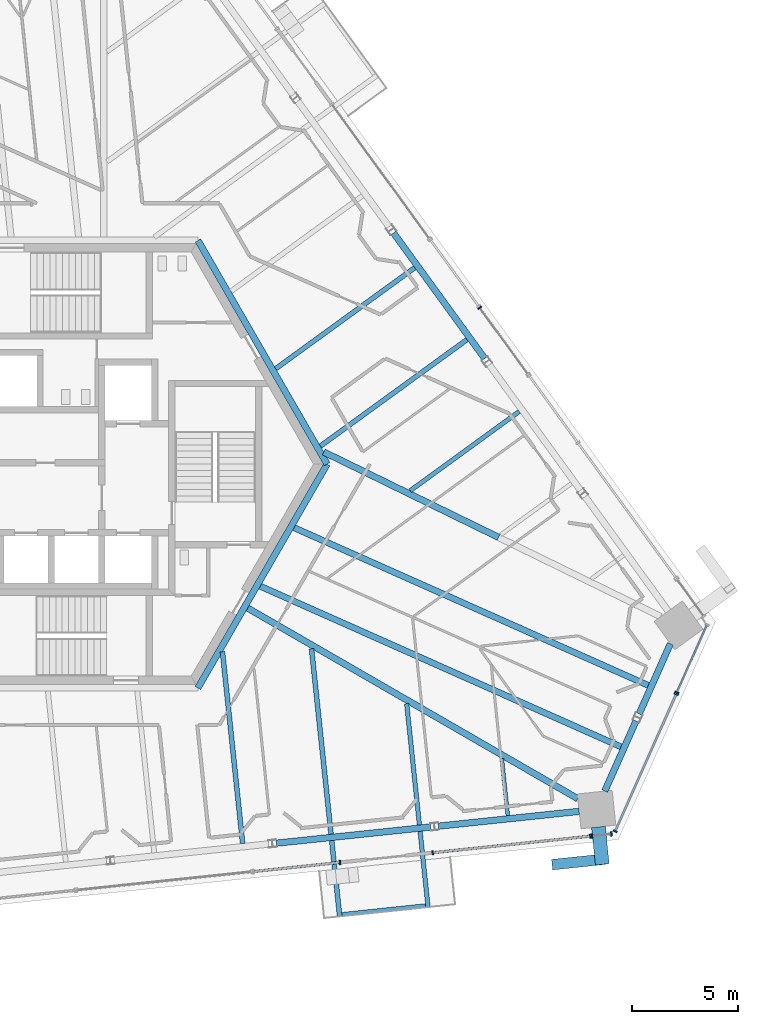
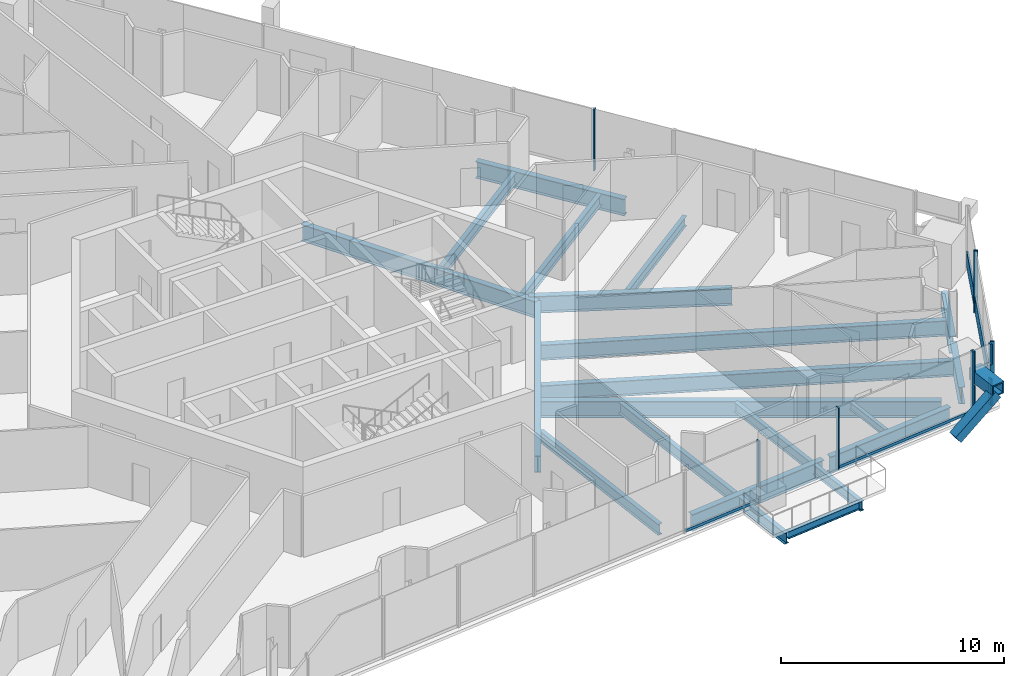
# One storey, part 7 of 26: 21 beams, 17 members, 7 elements without a shape of their own.
"""IFC4 building model written with IfcOpenShell, lengths in metres."""

from ifc_helpers import new_model, si_unit, direction, frame, origin, origin_2d, place, context, subcontext, project, spatial, rectangle, hollow_rectangle, i_section, extrude, source, transform, mapped, material, material_profile, profile_set, type_object, element, aggregate, save


model = new_model("IFC4")

# Units and contexts
model_context = context("Model", 3, precision=1e-05, world=origin(), true_north=direction((0.0, 1.0)))
body_context = subcontext(model_context, "Body", "Model", "MODEL_VIEW")
ifc_project = project(units=[si_unit("LENGTHUNIT", "METRE"), si_unit("AREAUNIT", "SQUARE_METRE"), si_unit("VOLUMEUNIT", "CUBIC_METRE"), si_unit("PLANEANGLEUNIT", "RADIAN"), si_unit("MASSUNIT", "GRAM", prefix="KILO")], contexts=[model_context])

# Site, building, storey
site_placement = place(None, origin())
site = spatial("IfcSite", under=ifc_project, at=site_placement, CompositionType="ELEMENT")
building_placement = place(site_placement, origin())
building = spatial("IfcBuilding", under=site, at=building_placement, Name="Triune Harvest Tower", CompositionType="ELEMENT")
storey_placement = place(building_placement, frame((0.0, 0.0, 252.10009765625)))
storey = spatial("IfcBuildingStorey", under=building, at=storey_placement, Name="L66", CompositionType="ELEMENT", Elevation=252.10009765625)

# Curtain wall, member
ifc_material_1 = material(Name="Aluminium bronze anodised", Category="aluminium")
curtain_wall_type_1 = type_object("IfcCurtainWallType", Name="CW-7 Tower stick curtain wall with insulated spandrel infill", PredefinedType="NOTDEFINED", material=ifc_material_1)
curtain_wall_1_placement = place(storey_placement, origin())
curtain_wall_1 = element("IfcCurtainWall", 1, at=curtain_wall_1_placement, inside=storey, type_object=curtain_wall_type_1, Name="CW-7 B6-F6 L66 run 1")
ifc_material_2 = material(Name="Aluminium bronze anodised", Category="aluminium")
ifc_material_profile_1 = material_profile(ifc_material_2, rectangle(XDim=0.090087890625, YDim=0.89990234375, at=origin_2d()), Name="TR-1 transom 90 x 900")
ifc_profile_set_1 = profile_set([ifc_material_profile_1], Name="Aluminium bronze anodised")
member_type_1 = type_object("IfcMemberType", Name="TR-1 transom 90 x 900", PredefinedType="USERDEFINED", material=ifc_profile_set_1)
member_1_placement = place(storey_placement, frame((25.76806640625, -17.261474609375, 0.449951171875), z_axis=(0.406746658273, 0.913540998524, 0.0), x_axis=(-0.913540998524, 0.406746658273, 0.0)))
member_1 = element("IfcMember", 2, at=member_1_placement, type_object=member_type_1, Name="CW-7 transom B6-F6 1.1", ObjectType="TRANSOM", PredefinedType="USERDEFINED", context=body_context, shape_type="SweptSolid", body=[
    extrude(rectangle(XDim=0.090087890625, YDim=0.89990234375, at=origin_2d()), origin(), (0.0, 0.0, 1.0), 7.0009765625),
])

ifc_material_3 = material(Name="Aluminium bronze anodised", Category="aluminium")
curtain_wall_type_2 = type_object("IfcCurtainWallType", Name="CW-1 Tower stick curtain wall", PredefinedType="NOTDEFINED", material=ifc_material_3)
curtain_wall_2_placement = place(storey_placement, origin())
curtain_wall_2 = element("IfcCurtainWall", 3, at=curtain_wall_2_placement, inside=storey, type_object=curtain_wall_type_2, Name="CW-1 B6-F6 L66 run 1001")
member_2_placement = place(storey_placement, frame((28.6767578125, -10.728515625, 0.449951171875), z_axis=(0.406740135234, 0.913543902826, 0.0), x_axis=(-0.913543902826, 0.406740135234, 0.0)))
member_2 = element("IfcMember", 4, at=member_2_placement, type_object=member_type_1, Name="CW-1 transom B6-F6 1001.1", ObjectType="TRANSOM", PredefinedType="USERDEFINED", context=body_context, shape_type="SweptSolid", body=[
    extrude(rectangle(XDim=0.090087890625, YDim=0.89990234375, at=origin_2d()), origin(), (0.0, 0.0, 1.0), 3.425537109375),
])

ifc_material_4 = material(Name="Aluminium bronze anodised", Category="aluminium")
curtain_wall_type_3 = type_object("IfcCurtainWallType", Name="CW-10 Balcony window wall with insulated spandrel infill", PredefinedType="NOTDEFINED", material=ifc_material_4)
curtain_wall_3_placement = place(storey_placement, origin())
curtain_wall_3 = element("IfcCurtainWall", 5, at=curtain_wall_3_placement, inside=storey, type_object=curtain_wall_type_3, Name="CW-10 B6-F5 L66 run 2")
ifc_material_5 = material(Name="Aluminium bronze anodised", Category="aluminium")
ifc_material_profile_2 = material_profile(ifc_material_5, rectangle(XDim=0.090087890625, YDim=0.14990234375, at=origin_2d()), Name="TR-6 transom 90 x 150")
ifc_profile_set_2 = profile_set([ifc_material_profile_2], Name="Aluminium bronze anodised")
member_type_2 = type_object("IfcMemberType", Name="TR-6 transom 90 x 150", PredefinedType="USERDEFINED", material=ifc_profile_set_2)
member_3_placement = place(storey_placement, frame((17.190185546875, -18.306884765625, 0.074951171875), z_axis=(0.994520094605, 0.104545594968, 0.0), x_axis=(-0.104545594968, 0.994520094605, 0.0)))
member_3 = element("IfcMember", 6, at=member_3_placement, type_object=member_type_2, Name="CW-10 transom B6-F5 2.1", ObjectType="TRANSOM", PredefinedType="USERDEFINED", context=body_context, shape_type="SweptSolid", body=[
    extrude(rectangle(XDim=0.090087890625, YDim=0.14990234375, at=origin_2d()), origin(), (0.0, 0.0, 1.0), 7.395751953125),
])

# Beams
ifc_material_6 = material(Name="Steel ASTM A992 Gr 50", Category="steel")
ifc_material_profile_3 = material_profile(ifc_material_6, i_section(OverallWidth=0.3046875, OverallDepth=0.914306640625, WebThickness=0.0166015625, FlangeThickness=0.02587890625, at=origin_2d()), Name="W36x160")
ifc_profile_set_3 = profile_set([ifc_material_profile_3], Name="Steel ASTM A992 Gr 50")
beam_type_1 = type_object("IfcBeamType", Name="CG-1 Core ring girder W36x160", PredefinedType="BEAM", material=ifc_profile_set_3)
shared_shape_1 = source(origin(), body_context, "Body", "SweptSolid", [
    extrude(i_section(OverallWidth=0.3046875, OverallDepth=0.914306640625, WebThickness=0.0166015625, FlangeThickness=0.02587890625, at=origin_2d()), origin(), (0.0, 0.0, 1.0), 12.176025390625),
])
for number, where, z_axis, x_axis, name in (
    (7, (12.176025390625, 0.0, -0.6171875), (-0.5000099932, 0.866019634131, 0.0), (-0.866019634131, -0.5000099932, 0.0), "beam/L66/CG1"),
    (8, (6.087890625, -10.544677734375, -0.6171875), (0.5000099932, 0.866019634131, 0.0), (-0.866019634131, 0.5000099932, 0.0), "beam/L66/CG6"),
):
    element("IfcBeam", number, at=place(storey_placement, frame(where, z_axis=z_axis, x_axis=x_axis)), inside=storey, type_object=beam_type_1, Name=name, PredefinedType="BEAM", context=body_context, shape_type="MappedRepresentation", body=[
        mapped(shared_shape_1, transform((0.0, 0.0, 0.0), scale=1.0)),
    ])
ifc_material_7 = material(Name="Steel ASTM A992 Gr 50", Category="steel")
ifc_material_profile_4 = material_profile(ifc_material_7, i_section(OverallWidth=0.3046875, OverallDepth=0.914306640625, WebThickness=0.0166015625, FlangeThickness=0.02587890625, at=origin_2d()), Name="W36x160")
ifc_profile_set_4 = profile_set([ifc_material_profile_4], Name="Steel ASTM A992 Gr 50")
beam_type_2 = type_object("IfcBeamType", Name="HG-3 Hip girder W36x160", PredefinedType="BEAM", material=ifc_profile_set_4)
shared_shape_2 = source(origin(), body_context, "Body", "SweptSolid", [
    extrude(i_section(OverallWidth=0.3046875, OverallDepth=0.914306640625, WebThickness=0.0166015625, FlangeThickness=0.02587890625, at=origin_2d()), origin(), (0.0, 0.0, 1.0), 9.168212890625),
])
beam_1_placement = place(storey_placement, frame((20.2587890625, -3.451171875, -0.6171875), z_axis=(-0.898521846145, 0.438928800605, 0.0), x_axis=(-0.438928800605, -0.898521846145, 0.0)))
element("IfcBeam", 9, at=beam_1_placement, inside=storey, type_object=beam_type_2, Name="beam/L66/HG2", PredefinedType="BEAM", context=body_context, shape_type="MappedRepresentation", body=[
    mapped(shared_shape_2, transform((0.0, 0.0, 0.0), scale=1.0)),
])
ifc_material_8 = material(Name="Steel ASTM A992 Gr 50", Category="steel")
ifc_material_profile_5 = material_profile(ifc_material_8, i_section(OverallWidth=0.3046875, OverallDepth=0.914306640625, WebThickness=0.0166015625, FlangeThickness=0.02587890625, at=origin_2d()), Name="W36x160")
ifc_profile_set_5 = profile_set([ifc_material_profile_5], Name="Steel ASTM A992 Gr 50")
beam_type_3 = type_object("IfcBeamType", Name="SB-1 Spandrel beam W36x160", PredefinedType="SPANDREL", material=ifc_profile_set_5)
shared_shape_3 = source(origin(), body_context, "Body", "SweptSolid", [
    extrude(i_section(OverallWidth=0.3046875, OverallDepth=0.914306640625, WebThickness=0.0166015625, FlangeThickness=0.02587890625, at=origin_2d()), origin(), (0.0, 0.0, 1.0), 6.67041015625),
])
beam_2_placement = place(storey_placement, frame((17.421630859375, -17.060302734375, -0.6171875), z_axis=(0.994521485501, 0.104532362822, 0.0), x_axis=(-0.104532362822, 0.994521485501, 0.0)))
element("IfcBeam", 10, at=beam_2_placement, inside=storey, type_object=beam_type_3, Name="beam/L66/SB22", PredefinedType="SPANDREL", context=body_context, shape_type="MappedRepresentation", body=[
    mapped(shared_shape_3, transform((0.0, 0.0, 0.0), scale=1.0)),
])
shared_shape_4 = source(origin(), body_context, "Body", "SweptSolid", [
    extrude(i_section(OverallWidth=0.3046875, OverallDepth=0.914306640625, WebThickness=0.0166015625, FlangeThickness=0.02587890625, at=origin_2d()), origin(), (0.0, 0.0, 1.0), 7.31103515625),
])
for number, where, z_axis, x_axis, name in (
    (11, (19.60546875, 4.9794921875, -0.6171875), (-0.587786436325, 0.809016134124, 0.0), (-0.809016134124, -0.587786436325, 0.0), "beam/L66/SB3"),
    (12, (9.784423828125, -17.863037109375, -0.6171875), (0.994522639393, 0.104521384101, 0.0), (-0.104521384101, 0.994522639393, 0.0), "beam/L66/SB21"),
):
    element("IfcBeam", number, at=place(storey_placement, frame(where, z_axis=z_axis, x_axis=x_axis)), inside=storey, type_object=beam_type_3, Name=name, PredefinedType="SPANDREL", context=body_context, shape_type="MappedRepresentation", body=[
        mapped(shared_shape_4, transform((0.0, 0.0, 0.0), scale=1.0)),
    ])
shared_shape_5 = source(origin(), body_context, "Body", "SweptSolid", [
    extrude(i_section(OverallWidth=0.3046875, OverallDepth=0.914306640625, WebThickness=0.0166015625, FlangeThickness=0.02587890625, at=origin_2d()), origin(), (0.0, 0.0, 1.0), 3.614990234375),
])
beam_3_placement = place(storey_placement, frame((26.883544921875, -11.767822265625, -0.6171875), z_axis=(0.406758712736, 0.913535631277, 0.0), x_axis=(-0.913535631277, 0.406758712736, 0.0)))
element("IfcBeam", 13, at=beam_3_placement, inside=storey, type_object=beam_type_3, Name="beam/L66/SB24", PredefinedType="SPANDREL", context=body_context, shape_type="MappedRepresentation", body=[
    mapped(shared_shape_5, transform((0.0, 0.0, 0.0), scale=1.0)),
])
shared_shape_6 = source(origin(), body_context, "Body", "SweptSolid", [
    extrude(i_section(OverallWidth=0.3046875, OverallDepth=0.914306640625, WebThickness=0.0166015625, FlangeThickness=0.02587890625, at=origin_2d()), origin(), (0.0, 0.0, 1.0), 3.61474609375),
])
beam_4_placement = place(storey_placement, frame((25.263427734375, -15.406494140625, -0.6171875), z_axis=(0.406783809082, 0.913524456525, 0.0), x_axis=(-0.913524456525, 0.406783809082, 0.0)))
element("IfcBeam", 14, at=beam_4_placement, inside=storey, type_object=beam_type_3, Name="beam/L66/SB23", PredefinedType="SPANDREL", context=body_context, shape_type="MappedRepresentation", body=[
    mapped(shared_shape_6, transform((0.0, 0.0, 0.0), scale=1.0)),
])
shared_shape_7 = source(origin(), body_context, "Body", "SweptSolid", [
    extrude(i_section(OverallWidth=0.3046875, OverallDepth=0.914306640625, WebThickness=0.0166015625, FlangeThickness=0.02587890625, at=origin_2d()), origin(), (0.0, 0.0, 1.0), 17.96484375),
])
beam_5_placement = place(storey_placement, frame((23.992919921875, -15.766845703125, -0.6171875), z_axis=(-0.866026717539, 0.499997724503, 0.0), x_axis=(-0.499997724503, -0.866026717539, 0.0)))
element("IfcBeam", 15, at=beam_5_placement, inside=storey, type_object=beam_type_2, Name="beam/L66/HG10", PredefinedType="BEAM", context=body_context, shape_type="MappedRepresentation", body=[
    mapped(shared_shape_7, transform((0.0, 0.0, 0.0), scale=1.0)),
])
ifc_material_9 = material(Name="Steel ASTM A992 Gr 50", Category="steel")
ifc_material_profile_6 = material_profile(ifc_material_9, i_section(OverallWidth=0.2099609375, OverallDepth=0.535888671875, WebThickness=0.010986328125, FlangeThickness=0.017333984375, at=origin_2d()), Name="W21x68")
ifc_profile_set_6 = profile_set([ifc_material_profile_6], Name="Steel ASTM A992 Gr 50")
beam_type_4 = type_object("IfcBeamType", Name="JT-2 Floor joist W21x68", PredefinedType="JOIST", material=ifc_profile_set_6)
shared_shape_8 = source(origin(), body_context, "Body", "SweptSolid", [
    extrude(i_section(OverallWidth=0.2099609375, OverallDepth=0.535888671875, WebThickness=0.010986328125, FlangeThickness=0.017333984375, at=origin_2d()), origin(), (0.0, 0.0, 1.0), 6.346435546875),
])
beam_6_placement = place(storey_placement, frame((21.231689453125, 2.481689453125, -0.427978515625), z_axis=(-0.809002165091, -0.58780566251, 0.0), x_axis=(0.58780566251, -0.809002165091, 0.0)))
element("IfcBeam", 16, at=beam_6_placement, inside=storey, type_object=beam_type_4, Name="beam/L66/JT3", PredefinedType="JOIST", context=body_context, shape_type="MappedRepresentation", body=[
    mapped(shared_shape_8, transform((0.0, 0.0, 0.0), scale=1.0)),
])
ifc_material_10 = material(Name="Steel ASTM A992 Gr 50", Category="steel")
ifc_material_profile_7 = material_profile(ifc_material_10, i_section(OverallWidth=0.22900390625, OverallDepth=0.612060546875, WebThickness=0.011962890625, FlangeThickness=0.01953125, at=origin_2d()), Name="W24x84")
ifc_profile_set_7 = profile_set([ifc_material_profile_7], Name="Steel ASTM A992 Gr 50")
beam_type_5 = type_object("IfcBeamType", Name="JT-3 Floor joist W24x84", PredefinedType="JOIST", material=ifc_profile_set_7)
shared_shape_9 = source(origin(), body_context, "Body", "SweptSolid", [
    extrude(i_section(OverallWidth=0.22900390625, OverallDepth=0.612060546875, WebThickness=0.011962890625, FlangeThickness=0.01953125, at=origin_2d()), origin(), (0.0, 0.0, 1.0), 8.540283203125),
])
beam_7_placement = place(storey_placement, frame((18.769775390625, 5.87060546875, -0.46630859375), z_axis=(-0.809019081634, -0.587782379416, 0.0), x_axis=(0.587782379416, -0.809019081634, 0.0)))
element("IfcBeam", 17, at=beam_7_placement, inside=storey, type_object=beam_type_5, Name="beam/L66/JT4", PredefinedType="JOIST", context=body_context, shape_type="MappedRepresentation", body=[
    mapped(shared_shape_9, transform((0.0, 0.0, 0.0), scale=1.0)),
])
shared_shape_10 = source(origin(), body_context, "Body", "SweptSolid", [
    extrude(i_section(OverallWidth=0.22900390625, OverallDepth=0.612060546875, WebThickness=0.011962890625, FlangeThickness=0.01953125, at=origin_2d()), origin(), (0.0, 0.0, 1.0), 8.099609375),
])
beam_8_placement = place(storey_placement, frame((16.3076171875, 9.25927734375, -0.46630859375), z_axis=(-0.809022748574, -0.587777332235, 0.0), x_axis=(0.587777332235, -0.809022748574, 0.0)))
element("IfcBeam", 18, at=beam_8_placement, inside=storey, type_object=beam_type_5, Name="beam/L66/JT5", PredefinedType="JOIST", context=body_context, shape_type="MappedRepresentation", body=[
    mapped(shared_shape_10, transform((0.0, 0.0, 0.0), scale=1.0)),
])
shared_shape_11 = source(origin(), body_context, "Body", "SweptSolid", [
    extrude(i_section(OverallWidth=0.22900390625, OverallDepth=0.612060546875, WebThickness=0.011962890625, FlangeThickness=0.01953125, at=origin_2d()), origin(), (0.0, 0.0, 1.0), 9.084716796875),
])
beam_9_placement = place(storey_placement, frame((8.19677734375, -17.876708984375, -0.46630859375), z_axis=(-0.104539296445, 0.994520756696, 0.0), x_axis=(-0.994520756696, -0.104539296445, 0.0)))
element("IfcBeam", 19, at=beam_9_placement, inside=storey, type_object=beam_type_5, Name="beam/L66/JT31", PredefinedType="JOIST", context=body_context, shape_type="MappedRepresentation", body=[
    mapped(shared_shape_11, transform((0.0, 0.0, 0.0), scale=1.0)),
])
shared_shape_12 = source(origin(), body_context, "Body", "SweptSolid", [
    extrude(i_section(OverallWidth=0.2099609375, OverallDepth=0.535888671875, WebThickness=0.010986328125, FlangeThickness=0.017333984375, at=origin_2d()), origin(), (0.0, 0.0, 1.0), 5.745849609375),
])
beam_10_placement = place(storey_placement, frame((16.5283203125, -17.0009765625, -0.427978515625), z_axis=(-0.104525532782, 0.99452220337, 0.0), x_axis=(-0.99452220337, -0.104525532782, 0.0)))
element("IfcBeam", 20, at=beam_10_placement, inside=storey, type_object=beam_type_4, Name="beam/L66/JT33", PredefinedType="JOIST", context=body_context, shape_type="MappedRepresentation", body=[
    mapped(shared_shape_12, transform((0.0, 0.0, 0.0), scale=1.0)),
])
ifc_material_11 = material(Name="Steel ASTM A992 Gr 50", Category="steel")
ifc_material_profile_8 = material_profile(ifc_material_11, i_section(OverallWidth=0.180908203125, OverallDepth=0.41650390625, WebThickness=0.010986328125, FlangeThickness=0.01806640625, at=origin_2d()), Name="W16x57")
ifc_profile_set_8 = profile_set([ifc_material_profile_8], Name="Steel ASTM A992 Gr 50")
beam_type_6 = type_object("IfcBeamType", Name="JT-1 Floor joist W16x57", PredefinedType="JOIST", material=ifc_profile_set_8)
shared_shape_13 = source(origin(), body_context, "Body", "SweptSolid", [
    extrude(i_section(OverallWidth=0.180908203125, OverallDepth=0.41650390625, WebThickness=0.010986328125, FlangeThickness=0.01806640625, at=origin_2d()), origin(), (0.0, 0.0, 1.0), 2.70263671875),
])
beam_11_placement = place(storey_placement, frame((20.694091796875, -16.56298828125, -0.368408203125), z_axis=(-0.104520196043, 0.994522764254, 0.0), x_axis=(-0.994522764254, -0.104520196043, 0.0)))
element("IfcBeam", 21, at=beam_11_placement, inside=storey, type_object=beam_type_6, Name="beam/L66/JT34", PredefinedType="JOIST", context=body_context, shape_type="MappedRepresentation", body=[
    mapped(shared_shape_13, transform((0.0, 0.0, 0.0), scale=1.0)),
])
ifc_material_12 = material(Name="Steel ASTM A992 Gr 50", Category="steel")
ifc_material_profile_9 = material_profile(ifc_material_12, i_section(OverallWidth=0.2919921875, OverallDepth=0.8408203125, WebThickness=0.0146484375, FlangeThickness=0.021728515625, at=origin_2d()), Name="W33x130")
ifc_profile_set_9 = profile_set([ifc_material_profile_9], Name="Steel ASTM A992 Gr 50")
beam_type_7 = type_object("IfcBeamType", Name="JT-6 Floor joist W33x130", PredefinedType="JOIST", material=ifc_profile_set_9)
shared_shape_14 = source(origin(), body_context, "Body", "SweptSolid", [
    extrude(i_section(OverallWidth=0.2919921875, OverallDepth=0.8408203125, WebThickness=0.0146484375, FlangeThickness=0.021728515625, at=origin_2d()), origin(), (0.0, 0.0, 1.0), 18.60400390625),
])
beam_12_placement = place(storey_placement, frame((26.025390625, -13.32080078125, -0.58056640625), z_axis=(-0.913546187597, 0.406735003568, 0.0), x_axis=(-0.406735003568, -0.913546187597, 0.0)))
element("IfcBeam", 22, at=beam_12_placement, inside=storey, type_object=beam_type_7, Name="beam/L66/JT35", PredefinedType="JOIST", context=body_context, shape_type="MappedRepresentation", body=[
    mapped(shared_shape_14, transform((0.0, 0.0, 0.0), scale=1.0)),
])
shared_shape_15 = source(origin(), body_context, "Body", "SweptSolid", [
    extrude(i_section(OverallWidth=0.22900390625, OverallDepth=0.612060546875, WebThickness=0.011962890625, FlangeThickness=0.01953125, at=origin_2d()), origin(), (0.0, 0.0, 1.0), 8.7890625),
])
beam_13_placement = place(storey_placement, frame((12.362548828125, -17.438720703125, -0.46630859375), z_axis=(-0.104527173764, 0.9945220309, 0.0), x_axis=(-0.9945220309, -0.104527173764, 0.0)))
element("IfcBeam", 23, at=beam_13_placement, inside=storey, type_object=beam_type_5, Name="beam/L66/JT32", PredefinedType="JOIST", context=body_context, shape_type="MappedRepresentation", body=[
    mapped(shared_shape_15, transform((0.0, 0.0, 0.0), scale=1.0)),
])
shared_shape_16 = source(origin(), body_context, "Body", "SweptSolid", [
    extrude(i_section(OverallWidth=0.2919921875, OverallDepth=0.8408203125, WebThickness=0.0146484375, FlangeThickness=0.021728515625, at=origin_2d()), origin(), (0.0, 0.0, 1.0), 18.270751953125),
])
beam_14_placement = place(storey_placement, frame((27.313720703125, -10.427001953125, -0.58056640625), z_axis=(-0.913545207047, 0.406737205922, 0.0), x_axis=(-0.406737205922, -0.913545207047, 0.0)))
element("IfcBeam", 24, at=beam_14_placement, inside=storey, type_object=beam_type_7, Name="beam/L66/JT36", PredefinedType="JOIST", context=body_context, shape_type="MappedRepresentation", body=[
    mapped(shared_shape_16, transform((0.0, 0.0, 0.0), scale=1.0)),
])

# Members
ifc_material_13 = material(Name="Steel ASTM A572 Gr 50", Category="steel")
ifc_material_profile_10 = material_profile(ifc_material_13, hollow_rectangle(XDim=0.64990234375, YDim=0.64990234375, WallThickness=0.070068359375, at=origin_2d()), Name="Box 650x650x70")
ifc_profile_set_10 = profile_set([ifc_material_profile_10], Name="Steel ASTM A572 Gr 50")
member_type_3 = type_object("IfcMemberType", Name="BS-1 Brace stub Box 650x650x70", PredefinedType="STRUT", material=ifc_profile_set_10)
shared_shape_17 = source(origin(), body_context, "Body", "SweptSolid", [
    extrude(hollow_rectangle(XDim=0.64990234375, YDim=0.64990234375, WallThickness=0.070068359375, at=origin_2d()), origin(), (0.0, 0.0, 1.0), 1.775390625),
])
member_4_placement = place(storey_placement, frame((24.962158203125, -17.097412109375, 1.849853515625), z_axis=(0.104512980796, -0.99452352252, 0.0), x_axis=(0.99452352252, 0.104512980796, 0.0)))
element("IfcMember", 25, at=member_4_placement, inside=storey, type_object=member_type_3, Name="brace/B6-F5/stub2", PredefinedType="STRUT", context=body_context, shape_type="MappedRepresentation", body=[
    mapped(shared_shape_17, transform((0.0, 0.0, 0.0), scale=1.0)),
])
ifc_material_14 = material(Name="Steel ASTM A572 Gr 50", Category="steel")
ifc_material_profile_11 = material_profile(ifc_material_14, hollow_rectangle(XDim=0.5, YDim=0.5, WallThickness=0.030029296875, at=origin_2d()), Name="Box 500x500x30")
ifc_profile_set_11 = profile_set([ifc_material_profile_11], Name="Steel ASTM A572 Gr 50")
member_type_4 = type_object("IfcMemberType", Name="BR-3 Brace Box 500x500x30", PredefinedType="BRACE", material=ifc_profile_set_11)
shared_shape_18 = source(origin(), body_context, "Body", "SweptSolid", [
    extrude(hollow_rectangle(XDim=0.5, YDim=0.5, WallThickness=0.030029296875, at=origin_2d()), origin(), (0.0, 0.0, 1.0), 2.718994140625),
])
member_5_placement = place(storey_placement, frame((22.927001953125, -18.860107421875, 0.0), z_axis=(0.807760265275, 0.084852540094, 0.583372437027), x_axis=(-0.104471855499, 0.994527843456, 0.0)))
element("IfcMember", 26, at=member_5_placement, inside=storey, type_object=member_type_4, Name="brace/B6-F5/d1/10", PredefinedType="BRACE", context=body_context, shape_type="MappedRepresentation", body=[
    mapped(shared_shape_18, transform((0.0, 0.0, 0.0), scale=1.0)),
])

# Beams
ifc_material_15 = material(Name="Steel ASTM A992 Gr 50", Category="steel")
ifc_material_profile_12 = material_profile(ifc_material_15, i_section(OverallWidth=0.22900390625, OverallDepth=0.612060546875, WebThickness=0.011962890625, FlangeThickness=0.01953125, at=origin_2d()), Name="W24x84")
ifc_profile_set_12 = profile_set([ifc_material_profile_12], Name="Steel ASTM A992 Gr 50")
beam_type_8 = type_object("IfcBeamType", Name="BJ-3 Balcony cantilever joist W24x84", PredefinedType="JOIST", material=ifc_profile_set_12)
shared_shape_19 = source(origin(), body_context, "Body", "SweptSolid", [
    extrude(i_section(OverallWidth=0.22900390625, OverallDepth=0.612060546875, WebThickness=0.011962890625, FlangeThickness=0.01953125, at=origin_2d()), origin(), (0.0, 0.0, 1.0), 3.59765625),
])
beam_15_placement = place(storey_placement, frame((12.39453125, -17.741943359375, -0.46630859375), z_axis=(0.104508154604, -0.994524029685, 0.0), x_axis=(0.994524029685, 0.104508154604, 0.0)))
element("IfcBeam", 27, at=beam_15_placement, inside=storey, type_object=beam_type_8, Name="Balcony cantilever joist B6-F5 L66.9b", PredefinedType="JOIST", context=body_context, shape_type="MappedRepresentation", body=[
    mapped(shared_shape_19, transform((0.0, 0.0, 0.0), scale=1.0)),
])
ifc_material_16 = material(Name="Steel ASTM A992 Gr 50", Category="steel")
ifc_material_profile_13 = material_profile(ifc_material_16, i_section(OverallWidth=0.2099609375, OverallDepth=0.535888671875, WebThickness=0.010986328125, FlangeThickness=0.017333984375, at=origin_2d()), Name="W21x68")
ifc_profile_set_13 = profile_set([ifc_material_profile_13], Name="Steel ASTM A992 Gr 50")
beam_type_9 = type_object("IfcBeamType", Name="BJ-2 Balcony cantilever joist W21x68", PredefinedType="JOIST", material=ifc_profile_set_13)
shared_shape_20 = source(origin(), body_context, "Body", "SweptSolid", [
    extrude(i_section(OverallWidth=0.2099609375, OverallDepth=0.535888671875, WebThickness=0.010986328125, FlangeThickness=0.017333984375, at=origin_2d()), origin(), (0.0, 0.0, 1.0), 3.59765625),
])
beam_16_placement = place(storey_placement, frame((16.560302734375, -17.30419921875, -0.427978515625), z_axis=(0.104508154604, -0.994524029685, 0.0), x_axis=(0.994524029685, 0.104508154604, 0.0)))
element("IfcBeam", 28, at=beam_16_placement, inside=storey, type_object=beam_type_9, Name="Balcony cantilever joist B6-F5 L66.9a", PredefinedType="JOIST", context=body_context, shape_type="MappedRepresentation", body=[
    mapped(shared_shape_20, transform((0.0, 0.0, 0.0), scale=1.0)),
])

# Curtain wall, members
ifc_material_17 = material(Name="Aluminium bronze anodised", Category="aluminium")
curtain_wall_type_4 = type_object("IfcCurtainWallType", Name="CW-6 Balcony window wall", PredefinedType="NOTDEFINED", material=ifc_material_17)
curtain_wall_4_placement = place(storey_placement, origin())
curtain_wall_4 = element("IfcCurtainWall", 29, at=curtain_wall_4_placement, inside=storey, type_object=curtain_wall_type_4, Name="CW-6 B6-F5 L66 run 202")
ifc_material_18 = material(Name="Aluminium bronze anodised", Category="aluminium")
ifc_material_profile_14 = material_profile(ifc_material_18, rectangle(XDim=0.199951171875, YDim=0.074951171875, at=origin_2d()), Name="MU-6 mullion 75 x 200")
ifc_profile_set_14 = profile_set([ifc_material_profile_14], Name="Aluminium bronze anodised")
member_type_5 = type_object("IfcMemberType", Name="MU-6 mullion 75 x 200", PredefinedType="MULLION", material=ifc_profile_set_14)
shared_shape_21 = source(origin(), body_context, "Body", "SweptSolid", [
    extrude(rectangle(XDim=0.199951171875, YDim=0.074951171875, at=origin_2d()), origin(), (0.0, 0.0, 1.0), 1.114990234375),
])
member_6_placement = place(storey_placement, frame((24.657470703125, -17.52197265625, 2.23486328125), z_axis=(0.0, 0.0, 1.0), x_axis=(-0.104528127067, 0.994521930704, 0.0)))
member_6 = element("IfcMember", 30, at=member_6_placement, type_object=member_type_5, Name="CW-6 mullion B6-F5 202.1", PredefinedType="MULLION", context=body_context, shape_type="MappedRepresentation", body=[
    mapped(shared_shape_21, transform((0.0, 0.0, 0.0), scale=1.0)),
])
member_7_placement = place(storey_placement, frame((25.57421875, -17.425537109375, 2.23486328125), z_axis=(0.0, 0.0, 1.0), x_axis=(-0.104528127067, 0.994521930704, 0.0)))
member_7 = element("IfcMember", 31, at=member_7_placement, type_object=member_type_5, Name="CW-6 mullion B6-F5 202.2", PredefinedType="MULLION", context=body_context, shape_type="MappedRepresentation", body=[
    mapped(shared_shape_21, transform((0.0, 0.0, 0.0), scale=1.0)),
])
aggregate(curtain_wall_4, [member_6, member_7])

# Member
ifc_material_19 = material(Name="Aluminium bronze anodised", Category="aluminium")
ifc_material_profile_15 = material_profile(ifc_material_19, rectangle(XDim=0.199951171875, YDim=0.074951171875, at=origin_2d()), Name="MU-1 mullion 75 x 200")
ifc_profile_set_15 = profile_set([ifc_material_profile_15], Name="Aluminium bronze anodised")
member_type_6 = type_object("IfcMemberType", Name="MU-1 mullion 75 x 200", PredefinedType="MULLION", material=ifc_profile_set_15)
shared_shape_22 = source(origin(), body_context, "Body", "SweptSolid", [
    extrude(rectangle(XDim=0.199951171875, YDim=0.074951171875, at=origin_2d()), origin(), (0.0, 0.0, 1.0), 3.349853515625),
])
member_8_placement = place(storey_placement, frame((25.7529296875, -17.2958984375, 0.0), z_axis=(0.0, 0.0, 1.0), x_axis=(-0.913544288969, 0.406739267949, 0.0)))
member_8 = element("IfcMember", 32, at=member_8_placement, type_object=member_type_6, Name="CW-7 mullion B6-F6 1.1", PredefinedType="MULLION", context=body_context, shape_type="MappedRepresentation", body=[
    mapped(shared_shape_22, transform((0.0, 0.0, 0.0), scale=1.0)),
])

member_9_placement = place(storey_placement, frame((28.631103515625, -10.831298828125, 0.0), z_axis=(0.0, 0.0, 1.0), x_axis=(-0.913544288969, 0.406739267949, 0.0)))
member_9 = element("IfcMember", 33, at=member_9_placement, type_object=member_type_6, Name="CW-7 mullion B6-F6 1.3", PredefinedType="MULLION", context=body_context, shape_type="MappedRepresentation", body=[
    mapped(shared_shape_22, transform((0.0, 0.0, 0.0), scale=1.0)),
])

aggregate(curtain_wall_1, [member_8, member_9, member_1])

member_10_placement = place(storey_placement, frame((28.66162109375, -10.762939453125, 0.0), z_axis=(0.0, 0.0, 1.0), x_axis=(-0.913539015381, 0.406751112323, 0.0)))
member_10 = element("IfcMember", 34, at=member_10_placement, type_object=member_type_6, Name="CW-1 mullion B6-F6 1001.1", PredefinedType="MULLION", context=body_context, shape_type="MappedRepresentation", body=[
    mapped(shared_shape_22, transform((0.0, 0.0, 0.0), scale=1.0)),
])

aggregate(curtain_wall_2, [member_10, member_2])

# Curtain wall, members
curtain_wall_5_placement = place(storey_placement, origin())
curtain_wall_5 = element("IfcCurtainWall", 35, at=curtain_wall_5_placement, inside=storey, type_object=curtain_wall_type_3, Name="CW-10 B6-F5 L66 run 102")
shared_shape_23 = source(origin(), body_context, "Body", "SweptSolid", [
    extrude(rectangle(XDim=0.199951171875, YDim=0.074951171875, at=origin_2d()), origin(), (0.0, 0.0, 1.0), 1.46484375),
])
member_11_placement = place(storey_placement, frame((24.657470703125, -17.52197265625, 0.0), z_axis=(0.0, 0.0, 1.0), x_axis=(-0.104528127067, 0.994521930704, 0.0)))
member_11 = element("IfcMember", 36, at=member_11_placement, type_object=member_type_5, Name="CW-10 mullion B6-F5 102.1", PredefinedType="MULLION", context=body_context, shape_type="MappedRepresentation", body=[
    mapped(shared_shape_23, transform((0.0, 0.0, 0.0), scale=1.0)),
])
member_12_placement = place(storey_placement, frame((25.57421875, -17.425537109375, 0.0), z_axis=(0.0, 0.0, 1.0), x_axis=(-0.104528127067, 0.994521930704, 0.0)))
member_12 = element("IfcMember", 37, at=member_12_placement, type_object=member_type_5, Name="CW-10 mullion B6-F5 102.2", PredefinedType="MULLION", context=body_context, shape_type="MappedRepresentation", body=[
    mapped(shared_shape_23, transform((0.0, 0.0, 0.0), scale=1.0)),
])
aggregate(curtain_wall_5, [member_11, member_12])

# Curtain wall, member
curtain_wall_6_placement = place(storey_placement, origin())
curtain_wall_6 = element("IfcCurtainWall", 38, at=curtain_wall_6_placement, inside=storey, type_object=curtain_wall_type_4, Name="CW-6 B6-F1 L66 run 1201")
shared_shape_24 = source(origin(), body_context, "Body", "SweptSolid", [
    extrude(rectangle(XDim=0.199951171875, YDim=0.074951171875, at=origin_2d()), origin(), (0.0, 0.0, 1.0), 3.349853515625),
])
member_13_placement = place(storey_placement, frame((19.370361328125, 7.37109375, 0.0), z_axis=(0.0, 0.0, 1.0), x_axis=(-0.809023689772, -0.587776036759, 0.0)))
member_13 = element("IfcMember", 39, at=member_13_placement, type_object=member_type_5, Name="CW-6 mullion B6-F1 1201.2", PredefinedType="MULLION", context=body_context, shape_type="MappedRepresentation", body=[
    mapped(shared_shape_24, transform((0.0, 0.0, 0.0), scale=1.0)),
])
aggregate(curtain_wall_6, [member_13])

curtain_wall_7_placement = place(storey_placement, origin())
curtain_wall_7 = element("IfcCurtainWall", 40, at=curtain_wall_7_placement, inside=storey, type_object=curtain_wall_type_3, Name="CW-10 B6-F5 L66 run 4201")
member_14_placement = place(storey_placement, frame((12.785400390625, -18.769775390625, 0.0), z_axis=(0.0, 0.0, 1.0), x_axis=(-0.104532871319, 0.994521432054, 0.0)))
member_14 = element("IfcMember", 41, at=member_14_placement, type_object=member_type_5, Name="CW-10 mullion B6-F5 4201.2", PredefinedType="MULLION", context=body_context, shape_type="MappedRepresentation", body=[
    mapped(shared_shape_24, transform((0.0, 0.0, 0.0), scale=1.0)),
])

# Member
member_15_placement = place(storey_placement, frame((17.15283203125, -18.310791015625, 0.0), z_axis=(0.0, 0.0, 1.0), x_axis=(-0.10453301886, 0.994521416546, 0.0)))
member_15 = element("IfcMember", 42, at=member_15_placement, type_object=member_type_5, Name="CW-10 mullion B6-F5 2.1", PredefinedType="MULLION", context=body_context, shape_type="MappedRepresentation", body=[
    mapped(shared_shape_24, transform((0.0, 0.0, 0.0), scale=1.0)),
])

member_16_placement = place(storey_placement, frame((24.582763671875, -17.52978515625, 0.0), z_axis=(0.0, 0.0, 1.0), x_axis=(-0.10453301886, 0.994521416546, 0.0)))
member_16 = element("IfcMember", 43, at=member_16_placement, type_object=member_type_5, Name="CW-10 mullion B6-F5 2.3", PredefinedType="MULLION", context=body_context, shape_type="MappedRepresentation", body=[
    mapped(shared_shape_24, transform((0.0, 0.0, 0.0), scale=1.0)),
])

aggregate(curtain_wall_3, [member_15, member_16, member_3])

# Beam
ifc_material_20 = material(Name="Steel ASTM A992 Gr 50", Category="steel")
ifc_material_profile_16 = material_profile(ifc_material_20, i_section(OverallWidth=0.180908203125, OverallDepth=0.41650390625, WebThickness=0.010986328125, FlangeThickness=0.01806640625, at=origin_2d()), Name="W16x57")
ifc_profile_set_16 = profile_set([ifc_material_profile_16], Name="Steel ASTM A992 Gr 50")
beam_type_10 = type_object("IfcBeamType", Name="BE-1 balcony edge beam W16x57", PredefinedType="BEAM", material=ifc_profile_set_16)
shared_shape_25 = source(origin(), body_context, "Body", "SweptSolid", [
    extrude(i_section(OverallWidth=0.180908203125, OverallDepth=0.41650390625, WebThickness=0.010986328125, FlangeThickness=0.01806640625, at=origin_2d()), origin(), (0.0, 0.0, 1.0), 3.96923828125),
])
beam_17_placement = place(storey_placement, frame((12.875, -21.218017578125, -0.368408203125), z_axis=(0.994518252565, 0.104563116418, 0.0), x_axis=(-0.104563116418, 0.994518252565, 0.0)))
element("IfcBeam", 44, at=beam_17_placement, inside=storey, type_object=beam_type_10, Name="Balcony edge beam B6-F5 L66.9", PredefinedType="BEAM", context=body_context, shape_type="MappedRepresentation", body=[
    mapped(shared_shape_25, transform((0.0, 0.0, 0.0), scale=1.0)),
])

# Member
shared_shape_26 = source(origin(), body_context, "Body", "SweptSolid", [
    extrude(rectangle(XDim=0.090087890625, YDim=0.14990234375, at=origin_2d()), origin(), (0.0, 0.0, 1.0), 4.030517578125),
])
member_17_placement = place(storey_placement, frame((8.73974609375, -19.195068359375, 0.074951171875), z_axis=(0.994520046734, 0.104546050348, 0.0), x_axis=(-0.104546050348, 0.994520046734, 0.0)))
member_17 = element("IfcMember", 45, at=member_17_placement, type_object=member_type_2, Name="CW-10 transom B6-F5 4201.1", ObjectType="TRANSOM", PredefinedType="USERDEFINED", context=body_context, shape_type="MappedRepresentation", body=[
    mapped(shared_shape_26, transform((0.0, 0.0, 0.0), scale=1.0)),
])

aggregate(curtain_wall_7, [member_14, member_17])

save(model, "model.ifc")
